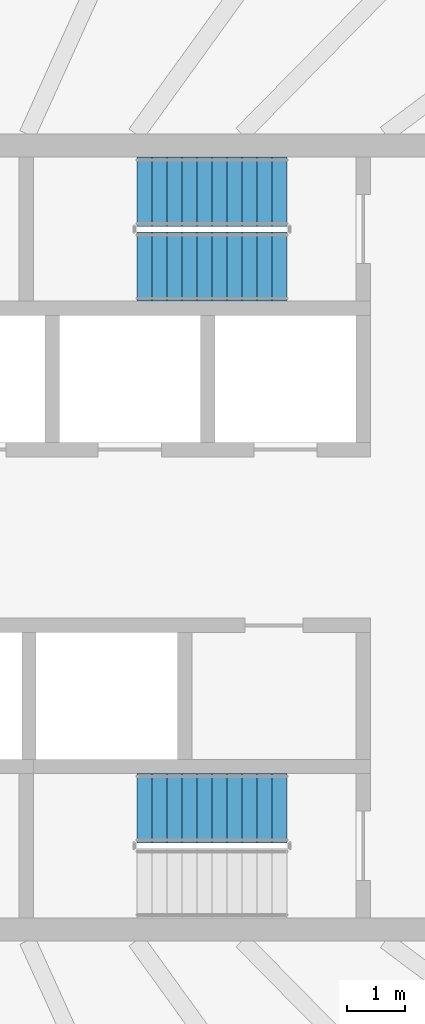
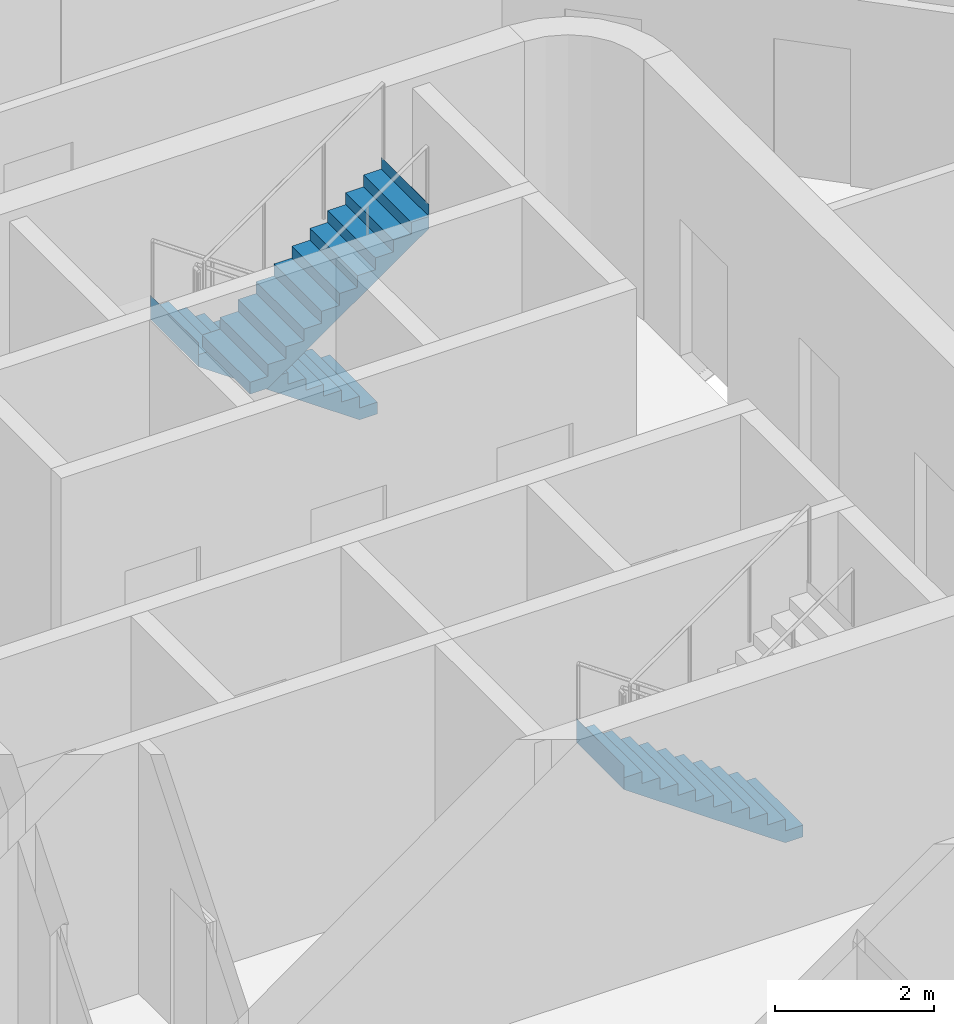
# One storey, part 14 of 20: 3 stair flights, 2 elements without a shape of their own.
"""IFC4 building model written with IfcOpenShell, lengths in metres."""

from ifc_helpers import new_model, si_unit, direction, frame, origin, place, context, subcontext, project, spatial, triangles, material, type_object, element, aggregate, save


model = new_model("IFC4")

# Units and contexts
model_context = context("Model", 3, precision=1e-05, world=origin(), true_north=direction((0.0, 1.0)))
body_context = subcontext(model_context, "Body", "Model", "MODEL_VIEW")
ifc_project = project(units=[si_unit("LENGTHUNIT", "METRE"), si_unit("AREAUNIT", "SQUARE_METRE"), si_unit("VOLUMEUNIT", "CUBIC_METRE"), si_unit("PLANEANGLEUNIT", "RADIAN"), si_unit("MASSUNIT", "GRAM", prefix="KILO")], contexts=[model_context])

# Site, building, storey
site_placement = place(None, origin())
site = spatial("IfcSite", under=ifc_project, at=site_placement, CompositionType="ELEMENT")
building_placement = place(site_placement, origin())
building = spatial("IfcBuilding", under=site, at=building_placement, Name="Sahrelin Media Tower", CompositionType="ELEMENT")
storey_placement = place(building_placement, frame((0.0, 0.0, 255.0)))
storey = spatial("IfcBuildingStorey", under=building, at=storey_placement, Name="L55", CompositionType="ELEMENT", Elevation=255.0)

# Stair, stair flights
ifc_material = material(Name="Concrete C40/50", Category="concrete")
stair_type = type_object("IfcStairType", Name="Exit stair 1200", PredefinedType="HALF_TURN_STAIR", material=ifc_material)
placement = place(storey_placement, origin())
stair_1 = element("IfcStair", 1, at=placement, inside=storey, type_object=stair_type, Name="L55 Exit stair ST3", PredefinedType="HALF_TURN_STAIR")
stair_flight_type = type_object("IfcStairFlightType", Name="Stair flight 1200", PredefinedType="STRAIGHT", material=ifc_material)
stair_flight_1_placement = place(storey_placement, frame((7.675048828125, 6.0, 0.0), z_axis=(0.0, 0.0, 1.0), x_axis=(-1.0, 0.0, 0.0)))
stair_flight_1 = element("IfcStairFlight", 2, at=stair_flight_1_placement, type_object=stair_flight_type, Name="ST3 flight 1", NumberOfRisers=11, NumberOfTreads=10, PredefinedType="STRAIGHT", RiserHeight=0.181818182, TreadLength=0.26, context=body_context, shape_type="Tessellation", body=[
    triangles([(0.261474609375, 0.60009765625, 0.0), (0.261474609375, 0.300048828125, 0.0), (0.261474609375, 0.0, 0.0), (0.261474609375, -0.300048828125, 0.0), (0.261474609375, -0.60009765625, 0.0), (2.60009765625, 0.60009765625, 1.63525390625), (2.60009765625, 0.300048828125, 1.63525390625), (2.60009765625, 0.0, 1.63525390625), (2.60009765625, -0.300048828125, 1.63525390625), (2.60009765625, -0.60009765625, 1.63525390625), (2.60009765625, 0.60009765625, 2.0), (2.60009765625, 0.300048828125, 2.0), (2.60009765625, 0.0, 2.0), (2.60009765625, -0.300048828125, 2.0), (2.60009765625, -0.60009765625, 2.0), (2.597900390625, 0.60009765625, 2.0), (2.597900390625, 0.300048828125, 2.0), (2.597900390625, 0.0, 2.0), (2.597900390625, -0.300048828125, 2.0), (2.597900390625, -0.60009765625, 2.0), (2.597900390625, 0.60009765625, 1.818115234375), (2.597900390625, 0.300048828125, 1.818115234375), (2.597900390625, 0.0, 1.818115234375), (2.597900390625, -0.300048828125, 1.818115234375), (2.597900390625, -0.60009765625, 1.818115234375), (2.340087890625, 0.60009765625, 1.818115234375), (2.340087890625, 0.300048828125, 1.818115234375), (2.340087890625, 0.0, 1.818115234375), (2.340087890625, -0.300048828125, 1.818115234375), (2.340087890625, -0.60009765625, 1.818115234375), (2.340087890625, 0.60009765625, 1.636474609375), (2.340087890625, 0.300048828125, 1.636474609375), (2.340087890625, 0.0, 1.636474609375), (2.340087890625, -0.300048828125, 1.636474609375), (2.340087890625, -0.60009765625, 1.636474609375), (2.080078125, 0.60009765625, 1.636474609375), (2.080078125, 0.300048828125, 1.636474609375), (2.080078125, 0.0, 1.636474609375), (2.080078125, -0.300048828125, 1.636474609375), (2.080078125, -0.60009765625, 1.636474609375), (2.080078125, 0.60009765625, 1.45458984375), (2.080078125, 0.300048828125, 1.45458984375), (2.080078125, 0.0, 1.45458984375), (2.080078125, -0.300048828125, 1.45458984375), (2.080078125, -0.60009765625, 1.45458984375), (1.820068359375, 0.60009765625, 1.45458984375), (1.820068359375, 0.300048828125, 1.45458984375), (1.820068359375, 0.0, 1.45458984375), (1.820068359375, -0.300048828125, 1.45458984375), (1.820068359375, -0.60009765625, 1.45458984375), (1.820068359375, 0.60009765625, 1.272705078125), (1.820068359375, 0.300048828125, 1.272705078125), (1.820068359375, 0.0, 1.272705078125), (1.820068359375, -0.300048828125, 1.272705078125), (1.820068359375, -0.60009765625, 1.272705078125), (1.56005859375, 0.60009765625, 1.272705078125), (1.56005859375, 0.300048828125, 1.272705078125), (1.56005859375, 0.0, 1.272705078125), (1.56005859375, -0.300048828125, 1.272705078125), (1.56005859375, -0.60009765625, 1.272705078125), (1.56005859375, 0.60009765625, 1.0908203125), (1.56005859375, 0.300048828125, 1.0908203125), (1.56005859375, 0.0, 1.0908203125), (1.56005859375, -0.300048828125, 1.0908203125), (1.56005859375, -0.60009765625, 1.0908203125), (1.300048828125, 0.60009765625, 1.0908203125), (1.300048828125, 0.300048828125, 1.0908203125), (1.300048828125, 0.0, 1.0908203125), (1.300048828125, -0.300048828125, 1.0908203125), (1.300048828125, -0.60009765625, 1.0908203125), (1.300048828125, 0.60009765625, 0.9091796875), (1.300048828125, 0.300048828125, 0.9091796875), (1.300048828125, 0.0, 0.9091796875), (1.300048828125, -0.300048828125, 0.9091796875), (1.300048828125, -0.60009765625, 0.9091796875), (1.0400390625, 0.60009765625, 0.9091796875), (1.0400390625, 0.300048828125, 0.9091796875), (1.0400390625, 0.0, 0.9091796875), (1.0400390625, -0.300048828125, 0.9091796875), (1.0400390625, -0.60009765625, 0.9091796875), (1.0400390625, 0.60009765625, 0.727294921875), (1.0400390625, 0.300048828125, 0.727294921875), (1.0400390625, 0.0, 0.727294921875), (1.0400390625, -0.300048828125, 0.727294921875), (1.0400390625, -0.60009765625, 0.727294921875), (0.780029296875, 0.60009765625, 0.727294921875), (0.780029296875, 0.300048828125, 0.727294921875), (0.780029296875, 0.0, 0.727294921875), (0.780029296875, -0.300048828125, 0.727294921875), (0.780029296875, -0.60009765625, 0.727294921875), (0.780029296875, 0.60009765625, 0.54541015625), (0.780029296875, 0.300048828125, 0.54541015625), (0.780029296875, 0.0, 0.54541015625), (0.780029296875, -0.300048828125, 0.54541015625), (0.780029296875, -0.60009765625, 0.54541015625), (0.52001953125, 0.60009765625, 0.54541015625), (0.52001953125, 0.300048828125, 0.54541015625), (0.52001953125, 0.0, 0.54541015625), (0.52001953125, -0.300048828125, 0.54541015625), (0.52001953125, -0.60009765625, 0.54541015625), (0.52001953125, 0.60009765625, 0.363525390625), (0.52001953125, 0.300048828125, 0.363525390625), (0.52001953125, 0.0, 0.363525390625), (0.52001953125, -0.300048828125, 0.363525390625), (0.52001953125, -0.60009765625, 0.363525390625), (0.260009765625, 0.60009765625, 0.363525390625), (0.260009765625, 0.300048828125, 0.363525390625), (0.260009765625, 0.0, 0.363525390625), (0.260009765625, -0.300048828125, 0.363525390625), (0.260009765625, -0.60009765625, 0.363525390625), (0.260009765625, 0.60009765625, 0.181884765625), (0.260009765625, 0.300048828125, 0.181884765625), (0.260009765625, 0.0, 0.181884765625), (0.260009765625, -0.300048828125, 0.181884765625), (0.260009765625, -0.60009765625, 0.181884765625), (0.0, 0.60009765625, 0.181884765625), (0.0, 0.300048828125, 0.181884765625), (0.0, 0.0, 0.181884765625), (0.0, -0.300048828125, 0.181884765625), (0.0, -0.60009765625, 0.181884765625), (0.0, 0.60009765625, 0.0), (0.0, 0.300048828125, 0.0), (0.0, 0.0, 0.0), (0.0, -0.300048828125, 0.0), (0.0, -0.60009765625, 0.0)], [[1, 6, 7], [1, 7, 2], [2, 7, 8], [2, 8, 3], [3, 8, 9], [3, 9, 4], [4, 9, 10], [4, 10, 5], [6, 11, 12], [6, 12, 7], [7, 12, 13], [7, 13, 8], [8, 13, 14], [8, 14, 9], [9, 14, 15], [9, 15, 10], [11, 16, 17], [11, 17, 12], [12, 17, 18], [12, 18, 13], [13, 18, 19], [13, 19, 14], [14, 19, 20], [14, 20, 15], [16, 21, 22], [16, 22, 17], [17, 22, 23], [17, 23, 18], [18, 23, 24], [18, 24, 19], [19, 24, 25], [19, 25, 20], [21, 26, 27], [21, 27, 22], [22, 27, 28], [22, 28, 23], [23, 28, 29], [23, 29, 24], [24, 29, 30], [24, 30, 25], [26, 31, 32], [26, 32, 27], [27, 32, 33], [27, 33, 28], [28, 33, 34], [28, 34, 29], [29, 34, 35], [29, 35, 30], [31, 36, 37], [31, 37, 32], [32, 37, 38], [32, 38, 33], [33, 38, 39], [33, 39, 34], [34, 39, 40], [34, 40, 35], [36, 41, 42], [36, 42, 37], [37, 42, 43], [37, 43, 38], [38, 43, 44], [38, 44, 39], [39, 44, 45], [39, 45, 40], [41, 46, 47], [41, 47, 42], [42, 47, 48], [42, 48, 43], [43, 48, 49], [43, 49, 44], [44, 49, 50], [44, 50, 45], [46, 51, 52], [46, 52, 47], [47, 52, 53], [47, 53, 48], [48, 53, 54], [48, 54, 49], [49, 54, 55], [49, 55, 50], [51, 56, 57], [51, 57, 52], [52, 57, 58], [52, 58, 53], [53, 58, 59], [53, 59, 54], [54, 59, 60], [54, 60, 55], [56, 61, 62], [56, 62, 57], [57, 62, 63], [57, 63, 58], [58, 63, 64], [58, 64, 59], [59, 64, 65], [59, 65, 60], [61, 66, 67], [61, 67, 62], [62, 67, 68], [62, 68, 63], [63, 68, 69], [63, 69, 64], [64, 69, 70], [64, 70, 65], [66, 71, 72], [66, 72, 67], [67, 72, 73], [67, 73, 68], [68, 73, 74], [68, 74, 69], [69, 74, 75], [69, 75, 70], [71, 76, 77], [71, 77, 72], [72, 77, 78], [72, 78, 73], [73, 78, 79], [73, 79, 74], [74, 79, 80], [74, 80, 75], [76, 81, 82], [76, 82, 77], [77, 82, 83], [77, 83, 78], [78, 83, 84], [78, 84, 79], [79, 84, 85], [79, 85, 80], [81, 86, 87], [81, 87, 82], [82, 87, 88], [82, 88, 83], [83, 88, 89], [83, 89, 84], [84, 89, 90], [84, 90, 85], [86, 91, 92], [86, 92, 87], [87, 92, 93], [87, 93, 88], [88, 93, 94], [88, 94, 89], [89, 94, 95], [89, 95, 90], [91, 96, 97], [91, 97, 92], [92, 97, 98], [92, 98, 93], [93, 98, 99], [93, 99, 94], [94, 99, 100], [94, 100, 95], [96, 101, 102], [96, 102, 97], [97, 102, 103], [97, 103, 98], [98, 103, 104], [98, 104, 99], [99, 104, 105], [99, 105, 100], [101, 106, 107], [101, 107, 102], [102, 107, 108], [102, 108, 103], [103, 108, 109], [103, 109, 104], [104, 109, 110], [104, 110, 105], [106, 111, 112], [106, 112, 107], [107, 112, 113], [107, 113, 108], [108, 113, 114], [108, 114, 109], [109, 114, 115], [109, 115, 110], [111, 116, 117], [111, 117, 112], [112, 117, 118], [112, 118, 113], [113, 118, 119], [113, 119, 114], [114, 119, 120], [114, 120, 115], [116, 121, 122], [116, 122, 117], [117, 122, 123], [117, 123, 118], [118, 123, 124], [118, 124, 119], [119, 124, 125], [119, 125, 120], [121, 1, 2], [121, 2, 122], [122, 2, 3], [122, 3, 123], [123, 3, 4], [123, 4, 124], [124, 4, 5], [124, 5, 125], [115, 120, 125], [111, 121, 116], [115, 105, 110], [111, 106, 101], [105, 95, 100], [101, 96, 91], [95, 85, 90], [91, 86, 81], [85, 75, 80], [81, 76, 71], [75, 65, 70], [71, 66, 61], [65, 55, 60], [61, 56, 51], [55, 45, 50], [51, 46, 41], [45, 35, 40], [41, 36, 31], [35, 25, 30], [31, 26, 21], [25, 15, 20], [21, 16, 11], [125, 5, 115], [121, 111, 1], [25, 10, 15], [21, 11, 6], [105, 115, 5], [101, 1, 111], [35, 10, 25], [31, 21, 6], [95, 105, 5], [91, 1, 101], [45, 10, 35], [41, 31, 6], [85, 95, 5], [81, 1, 91], [55, 10, 45], [51, 41, 6], [75, 85, 5], [71, 1, 81], [65, 10, 55], [61, 51, 6], [5, 10, 75], [1, 71, 6], [75, 10, 65], [71, 61, 6]], closed=True),
])
stair_flight_2_placement = place(storey_placement, frame((5.074951171875, 4.699951171875, 2.0), z_axis=(0.0, 0.0, 1.0), x_axis=(1.0, 0.0, 0.0)))
stair_flight_2 = element("IfcStairFlight", 3, at=stair_flight_2_placement, type_object=stair_flight_type, Name="ST3 flight 2", NumberOfRisers=11, NumberOfTreads=10, PredefinedType="STRAIGHT", RiserHeight=0.181818182, TreadLength=0.26, context=body_context, shape_type="Tessellation", body=[
    triangles([(0.261474609375, 0.60009765625, 0.0), (0.261474609375, 0.300048828125, 0.0), (0.261474609375, 0.0, 0.0), (0.261474609375, -0.300048828125, 0.0), (0.261474609375, -0.60009765625, 0.0), (2.60009765625, 0.60009765625, 1.63525390625), (2.60009765625, 0.300048828125, 1.63525390625), (2.60009765625, 0.0, 1.63525390625), (2.60009765625, -0.300048828125, 1.63525390625), (2.60009765625, -0.60009765625, 1.63525390625), (2.60009765625, 0.60009765625, 2.0), (2.60009765625, 0.300048828125, 2.0), (2.60009765625, 0.0, 2.0), (2.60009765625, -0.300048828125, 2.0), (2.60009765625, -0.60009765625, 2.0), (2.597900390625, 0.60009765625, 2.0), (2.597900390625, 0.300048828125, 2.0), (2.597900390625, 0.0, 2.0), (2.597900390625, -0.300048828125, 2.0), (2.597900390625, -0.60009765625, 2.0), (2.597900390625, 0.60009765625, 1.818115234375), (2.597900390625, 0.300048828125, 1.818115234375), (2.597900390625, 0.0, 1.818115234375), (2.597900390625, -0.300048828125, 1.818115234375), (2.597900390625, -0.60009765625, 1.818115234375), (2.340087890625, 0.60009765625, 1.818115234375), (2.340087890625, 0.300048828125, 1.818115234375), (2.340087890625, 0.0, 1.818115234375), (2.340087890625, -0.300048828125, 1.818115234375), (2.340087890625, -0.60009765625, 1.818115234375), (2.340087890625, 0.60009765625, 1.636474609375), (2.340087890625, 0.300048828125, 1.636474609375), (2.340087890625, 0.0, 1.636474609375), (2.340087890625, -0.300048828125, 1.636474609375), (2.340087890625, -0.60009765625, 1.636474609375), (2.080078125, 0.60009765625, 1.636474609375), (2.080078125, 0.300048828125, 1.636474609375), (2.080078125, 0.0, 1.636474609375), (2.080078125, -0.300048828125, 1.636474609375), (2.080078125, -0.60009765625, 1.636474609375), (2.080078125, 0.60009765625, 1.45458984375), (2.080078125, 0.300048828125, 1.45458984375), (2.080078125, 0.0, 1.45458984375), (2.080078125, -0.300048828125, 1.45458984375), (2.080078125, -0.60009765625, 1.45458984375), (1.820068359375, 0.60009765625, 1.45458984375), (1.820068359375, 0.300048828125, 1.45458984375), (1.820068359375, 0.0, 1.45458984375), (1.820068359375, -0.300048828125, 1.45458984375), (1.820068359375, -0.60009765625, 1.45458984375), (1.820068359375, 0.60009765625, 1.272705078125), (1.820068359375, 0.300048828125, 1.272705078125), (1.820068359375, 0.0, 1.272705078125), (1.820068359375, -0.300048828125, 1.272705078125), (1.820068359375, -0.60009765625, 1.272705078125), (1.56005859375, 0.60009765625, 1.272705078125), (1.56005859375, 0.300048828125, 1.272705078125), (1.56005859375, 0.0, 1.272705078125), (1.56005859375, -0.300048828125, 1.272705078125), (1.56005859375, -0.60009765625, 1.272705078125), (1.56005859375, 0.60009765625, 1.0908203125), (1.56005859375, 0.300048828125, 1.0908203125), (1.56005859375, 0.0, 1.0908203125), (1.56005859375, -0.300048828125, 1.0908203125), (1.56005859375, -0.60009765625, 1.0908203125), (1.300048828125, 0.60009765625, 1.0908203125), (1.300048828125, 0.300048828125, 1.0908203125), (1.300048828125, 0.0, 1.0908203125), (1.300048828125, -0.300048828125, 1.0908203125), (1.300048828125, -0.60009765625, 1.0908203125), (1.300048828125, 0.60009765625, 0.9091796875), (1.300048828125, 0.300048828125, 0.9091796875), (1.300048828125, 0.0, 0.9091796875), (1.300048828125, -0.300048828125, 0.9091796875), (1.300048828125, -0.60009765625, 0.9091796875), (1.0400390625, 0.60009765625, 0.9091796875), (1.0400390625, 0.300048828125, 0.9091796875), (1.0400390625, 0.0, 0.9091796875), (1.0400390625, -0.300048828125, 0.9091796875), (1.0400390625, -0.60009765625, 0.9091796875), (1.0400390625, 0.60009765625, 0.727294921875), (1.0400390625, 0.300048828125, 0.727294921875), (1.0400390625, 0.0, 0.727294921875), (1.0400390625, -0.300048828125, 0.727294921875), (1.0400390625, -0.60009765625, 0.727294921875), (0.780029296875, 0.60009765625, 0.727294921875), (0.780029296875, 0.300048828125, 0.727294921875), (0.780029296875, 0.0, 0.727294921875), (0.780029296875, -0.300048828125, 0.727294921875), (0.780029296875, -0.60009765625, 0.727294921875), (0.780029296875, 0.60009765625, 0.54541015625), (0.780029296875, 0.300048828125, 0.54541015625), (0.780029296875, 0.0, 0.54541015625), (0.780029296875, -0.300048828125, 0.54541015625), (0.780029296875, -0.60009765625, 0.54541015625), (0.52001953125, 0.60009765625, 0.54541015625), (0.52001953125, 0.300048828125, 0.54541015625), (0.52001953125, 0.0, 0.54541015625), (0.52001953125, -0.300048828125, 0.54541015625), (0.52001953125, -0.60009765625, 0.54541015625), (0.52001953125, 0.60009765625, 0.363525390625), (0.52001953125, 0.300048828125, 0.363525390625), (0.52001953125, 0.0, 0.363525390625), (0.52001953125, -0.300048828125, 0.363525390625), (0.52001953125, -0.60009765625, 0.363525390625), (0.260009765625, 0.60009765625, 0.363525390625), (0.260009765625, 0.300048828125, 0.363525390625), (0.260009765625, 0.0, 0.363525390625), (0.260009765625, -0.300048828125, 0.363525390625), (0.260009765625, -0.60009765625, 0.363525390625), (0.260009765625, 0.60009765625, 0.181884765625), (0.260009765625, 0.300048828125, 0.181884765625), (0.260009765625, 0.0, 0.181884765625), (0.260009765625, -0.300048828125, 0.181884765625), (0.260009765625, -0.60009765625, 0.181884765625), (0.0, 0.60009765625, 0.181884765625), (0.0, 0.300048828125, 0.181884765625), (0.0, 0.0, 0.181884765625), (0.0, -0.300048828125, 0.181884765625), (0.0, -0.60009765625, 0.181884765625), (0.0, 0.60009765625, 0.0), (0.0, 0.300048828125, 0.0), (0.0, 0.0, 0.0), (0.0, -0.300048828125, 0.0), (0.0, -0.60009765625, 0.0)], [[1, 6, 7], [1, 7, 2], [2, 7, 8], [2, 8, 3], [3, 8, 9], [3, 9, 4], [4, 9, 10], [4, 10, 5], [6, 11, 12], [6, 12, 7], [7, 12, 13], [7, 13, 8], [8, 13, 14], [8, 14, 9], [9, 14, 15], [9, 15, 10], [11, 16, 17], [11, 17, 12], [12, 17, 18], [12, 18, 13], [13, 18, 19], [13, 19, 14], [14, 19, 20], [14, 20, 15], [16, 21, 22], [16, 22, 17], [17, 22, 23], [17, 23, 18], [18, 23, 24], [18, 24, 19], [19, 24, 25], [19, 25, 20], [21, 26, 27], [21, 27, 22], [22, 27, 28], [22, 28, 23], [23, 28, 29], [23, 29, 24], [24, 29, 30], [24, 30, 25], [26, 31, 32], [26, 32, 27], [27, 32, 33], [27, 33, 28], [28, 33, 34], [28, 34, 29], [29, 34, 35], [29, 35, 30], [31, 36, 37], [31, 37, 32], [32, 37, 38], [32, 38, 33], [33, 38, 39], [33, 39, 34], [34, 39, 40], [34, 40, 35], [36, 41, 42], [36, 42, 37], [37, 42, 43], [37, 43, 38], [38, 43, 44], [38, 44, 39], [39, 44, 45], [39, 45, 40], [41, 46, 47], [41, 47, 42], [42, 47, 48], [42, 48, 43], [43, 48, 49], [43, 49, 44], [44, 49, 50], [44, 50, 45], [46, 51, 52], [46, 52, 47], [47, 52, 53], [47, 53, 48], [48, 53, 54], [48, 54, 49], [49, 54, 55], [49, 55, 50], [51, 56, 57], [51, 57, 52], [52, 57, 58], [52, 58, 53], [53, 58, 59], [53, 59, 54], [54, 59, 60], [54, 60, 55], [56, 61, 62], [56, 62, 57], [57, 62, 63], [57, 63, 58], [58, 63, 64], [58, 64, 59], [59, 64, 65], [59, 65, 60], [61, 66, 67], [61, 67, 62], [62, 67, 68], [62, 68, 63], [63, 68, 69], [63, 69, 64], [64, 69, 70], [64, 70, 65], [66, 71, 72], [66, 72, 67], [67, 72, 73], [67, 73, 68], [68, 73, 74], [68, 74, 69], [69, 74, 75], [69, 75, 70], [71, 76, 77], [71, 77, 72], [72, 77, 78], [72, 78, 73], [73, 78, 79], [73, 79, 74], [74, 79, 80], [74, 80, 75], [76, 81, 82], [76, 82, 77], [77, 82, 83], [77, 83, 78], [78, 83, 84], [78, 84, 79], [79, 84, 85], [79, 85, 80], [81, 86, 87], [81, 87, 82], [82, 87, 88], [82, 88, 83], [83, 88, 89], [83, 89, 84], [84, 89, 90], [84, 90, 85], [86, 91, 92], [86, 92, 87], [87, 92, 93], [87, 93, 88], [88, 93, 94], [88, 94, 89], [89, 94, 95], [89, 95, 90], [91, 96, 97], [91, 97, 92], [92, 97, 98], [92, 98, 93], [93, 98, 99], [93, 99, 94], [94, 99, 100], [94, 100, 95], [96, 101, 102], [96, 102, 97], [97, 102, 103], [97, 103, 98], [98, 103, 104], [98, 104, 99], [99, 104, 105], [99, 105, 100], [101, 106, 107], [101, 107, 102], [102, 107, 108], [102, 108, 103], [103, 108, 109], [103, 109, 104], [104, 109, 110], [104, 110, 105], [106, 111, 112], [106, 112, 107], [107, 112, 113], [107, 113, 108], [108, 113, 114], [108, 114, 109], [109, 114, 115], [109, 115, 110], [111, 116, 117], [111, 117, 112], [112, 117, 118], [112, 118, 113], [113, 118, 119], [113, 119, 114], [114, 119, 120], [114, 120, 115], [116, 121, 122], [116, 122, 117], [117, 122, 123], [117, 123, 118], [118, 123, 124], [118, 124, 119], [119, 124, 125], [119, 125, 120], [121, 1, 2], [121, 2, 122], [122, 2, 3], [122, 3, 123], [123, 3, 4], [123, 4, 124], [124, 4, 5], [124, 5, 125], [115, 120, 125], [111, 121, 116], [115, 105, 110], [111, 106, 101], [105, 95, 100], [101, 96, 91], [95, 85, 90], [91, 86, 81], [85, 75, 80], [81, 76, 71], [75, 65, 70], [71, 66, 61], [65, 55, 60], [61, 56, 51], [55, 45, 50], [51, 46, 41], [45, 35, 40], [41, 36, 31], [35, 25, 30], [31, 26, 21], [25, 15, 20], [21, 16, 11], [125, 5, 115], [121, 111, 1], [25, 10, 15], [21, 11, 6], [105, 115, 5], [101, 1, 111], [35, 10, 25], [31, 21, 6], [95, 105, 5], [91, 1, 101], [45, 10, 35], [41, 31, 6], [85, 95, 5], [81, 1, 91], [55, 10, 45], [51, 41, 6], [75, 85, 5], [71, 1, 81], [65, 10, 55], [61, 51, 6], [5, 10, 75], [1, 71, 6], [75, 10, 65], [71, 61, 6]], closed=True),
])
aggregate(stair_1, [stair_flight_1, stair_flight_2])

# Stair, stair flight
stair_2 = element("IfcStair", 4, at=placement, inside=storey, type_object=stair_type, Name="L55 Exit stair ST2", PredefinedType="HALF_TURN_STAIR")
stair_flight_3_placement = place(storey_placement, frame((7.675048828125, -4.699951171875, 0.0), z_axis=(0.0, 0.0, 1.0), x_axis=(-1.0, 0.0, 0.0)))
stair_flight_3 = element("IfcStairFlight", 5, at=stair_flight_3_placement, type_object=stair_flight_type, Name="ST2 flight 1", NumberOfRisers=11, NumberOfTreads=10, PredefinedType="STRAIGHT", RiserHeight=0.181818182, TreadLength=0.26, context=body_context, shape_type="Tessellation", body=[
    triangles([(0.261474609375, 0.60009765625, 0.0), (0.261474609375, 0.300048828125, 0.0), (0.261474609375, 0.0, 0.0), (0.261474609375, -0.300048828125, 0.0), (0.261474609375, -0.60009765625, 0.0), (2.60009765625, 0.60009765625, 1.63525390625), (2.60009765625, 0.300048828125, 1.63525390625), (2.60009765625, 0.0, 1.63525390625), (2.60009765625, -0.300048828125, 1.63525390625), (2.60009765625, -0.60009765625, 1.63525390625), (2.60009765625, 0.60009765625, 2.0), (2.60009765625, 0.300048828125, 2.0), (2.60009765625, 0.0, 2.0), (2.60009765625, -0.300048828125, 2.0), (2.60009765625, -0.60009765625, 2.0), (2.597900390625, 0.60009765625, 2.0), (2.597900390625, 0.300048828125, 2.0), (2.597900390625, 0.0, 2.0), (2.597900390625, -0.300048828125, 2.0), (2.597900390625, -0.60009765625, 2.0), (2.597900390625, 0.60009765625, 1.818115234375), (2.597900390625, 0.300048828125, 1.818115234375), (2.597900390625, 0.0, 1.818115234375), (2.597900390625, -0.300048828125, 1.818115234375), (2.597900390625, -0.60009765625, 1.818115234375), (2.340087890625, 0.60009765625, 1.818115234375), (2.340087890625, 0.300048828125, 1.818115234375), (2.340087890625, 0.0, 1.818115234375), (2.340087890625, -0.300048828125, 1.818115234375), (2.340087890625, -0.60009765625, 1.818115234375), (2.340087890625, 0.60009765625, 1.636474609375), (2.340087890625, 0.300048828125, 1.636474609375), (2.340087890625, 0.0, 1.636474609375), (2.340087890625, -0.300048828125, 1.636474609375), (2.340087890625, -0.60009765625, 1.636474609375), (2.080078125, 0.60009765625, 1.636474609375), (2.080078125, 0.300048828125, 1.636474609375), (2.080078125, 0.0, 1.636474609375), (2.080078125, -0.300048828125, 1.636474609375), (2.080078125, -0.60009765625, 1.636474609375), (2.080078125, 0.60009765625, 1.45458984375), (2.080078125, 0.300048828125, 1.45458984375), (2.080078125, 0.0, 1.45458984375), (2.080078125, -0.300048828125, 1.45458984375), (2.080078125, -0.60009765625, 1.45458984375), (1.820068359375, 0.60009765625, 1.45458984375), (1.820068359375, 0.300048828125, 1.45458984375), (1.820068359375, 0.0, 1.45458984375), (1.820068359375, -0.300048828125, 1.45458984375), (1.820068359375, -0.60009765625, 1.45458984375), (1.820068359375, 0.60009765625, 1.272705078125), (1.820068359375, 0.300048828125, 1.272705078125), (1.820068359375, 0.0, 1.272705078125), (1.820068359375, -0.300048828125, 1.272705078125), (1.820068359375, -0.60009765625, 1.272705078125), (1.56005859375, 0.60009765625, 1.272705078125), (1.56005859375, 0.300048828125, 1.272705078125), (1.56005859375, 0.0, 1.272705078125), (1.56005859375, -0.300048828125, 1.272705078125), (1.56005859375, -0.60009765625, 1.272705078125), (1.56005859375, 0.60009765625, 1.0908203125), (1.56005859375, 0.300048828125, 1.0908203125), (1.56005859375, 0.0, 1.0908203125), (1.56005859375, -0.300048828125, 1.0908203125), (1.56005859375, -0.60009765625, 1.0908203125), (1.300048828125, 0.60009765625, 1.0908203125), (1.300048828125, 0.300048828125, 1.0908203125), (1.300048828125, 0.0, 1.0908203125), (1.300048828125, -0.300048828125, 1.0908203125), (1.300048828125, -0.60009765625, 1.0908203125), (1.300048828125, 0.60009765625, 0.9091796875), (1.300048828125, 0.300048828125, 0.9091796875), (1.300048828125, 0.0, 0.9091796875), (1.300048828125, -0.300048828125, 0.9091796875), (1.300048828125, -0.60009765625, 0.9091796875), (1.0400390625, 0.60009765625, 0.9091796875), (1.0400390625, 0.300048828125, 0.9091796875), (1.0400390625, 0.0, 0.9091796875), (1.0400390625, -0.300048828125, 0.9091796875), (1.0400390625, -0.60009765625, 0.9091796875), (1.0400390625, 0.60009765625, 0.727294921875), (1.0400390625, 0.300048828125, 0.727294921875), (1.0400390625, 0.0, 0.727294921875), (1.0400390625, -0.300048828125, 0.727294921875), (1.0400390625, -0.60009765625, 0.727294921875), (0.780029296875, 0.60009765625, 0.727294921875), (0.780029296875, 0.300048828125, 0.727294921875), (0.780029296875, 0.0, 0.727294921875), (0.780029296875, -0.300048828125, 0.727294921875), (0.780029296875, -0.60009765625, 0.727294921875), (0.780029296875, 0.60009765625, 0.54541015625), (0.780029296875, 0.300048828125, 0.54541015625), (0.780029296875, 0.0, 0.54541015625), (0.780029296875, -0.300048828125, 0.54541015625), (0.780029296875, -0.60009765625, 0.54541015625), (0.52001953125, 0.60009765625, 0.54541015625), (0.52001953125, 0.300048828125, 0.54541015625), (0.52001953125, 0.0, 0.54541015625), (0.52001953125, -0.300048828125, 0.54541015625), (0.52001953125, -0.60009765625, 0.54541015625), (0.52001953125, 0.60009765625, 0.363525390625), (0.52001953125, 0.300048828125, 0.363525390625), (0.52001953125, 0.0, 0.363525390625), (0.52001953125, -0.300048828125, 0.363525390625), (0.52001953125, -0.60009765625, 0.363525390625), (0.260009765625, 0.60009765625, 0.363525390625), (0.260009765625, 0.300048828125, 0.363525390625), (0.260009765625, 0.0, 0.363525390625), (0.260009765625, -0.300048828125, 0.363525390625), (0.260009765625, -0.60009765625, 0.363525390625), (0.260009765625, 0.60009765625, 0.181884765625), (0.260009765625, 0.300048828125, 0.181884765625), (0.260009765625, 0.0, 0.181884765625), (0.260009765625, -0.300048828125, 0.181884765625), (0.260009765625, -0.60009765625, 0.181884765625), (0.0, 0.60009765625, 0.181884765625), (0.0, 0.300048828125, 0.181884765625), (0.0, 0.0, 0.181884765625), (0.0, -0.300048828125, 0.181884765625), (0.0, -0.60009765625, 0.181884765625), (0.0, 0.60009765625, 0.0), (0.0, 0.300048828125, 0.0), (0.0, 0.0, 0.0), (0.0, -0.300048828125, 0.0), (0.0, -0.60009765625, 0.0)], [[1, 6, 7], [1, 7, 2], [2, 7, 8], [2, 8, 3], [3, 8, 9], [3, 9, 4], [4, 9, 10], [4, 10, 5], [6, 11, 12], [6, 12, 7], [7, 12, 13], [7, 13, 8], [8, 13, 14], [8, 14, 9], [9, 14, 15], [9, 15, 10], [11, 16, 17], [11, 17, 12], [12, 17, 18], [12, 18, 13], [13, 18, 19], [13, 19, 14], [14, 19, 20], [14, 20, 15], [16, 21, 22], [16, 22, 17], [17, 22, 23], [17, 23, 18], [18, 23, 24], [18, 24, 19], [19, 24, 25], [19, 25, 20], [21, 26, 27], [21, 27, 22], [22, 27, 28], [22, 28, 23], [23, 28, 29], [23, 29, 24], [24, 29, 30], [24, 30, 25], [26, 31, 32], [26, 32, 27], [27, 32, 33], [27, 33, 28], [28, 33, 34], [28, 34, 29], [29, 34, 35], [29, 35, 30], [31, 36, 37], [31, 37, 32], [32, 37, 38], [32, 38, 33], [33, 38, 39], [33, 39, 34], [34, 39, 40], [34, 40, 35], [36, 41, 42], [36, 42, 37], [37, 42, 43], [37, 43, 38], [38, 43, 44], [38, 44, 39], [39, 44, 45], [39, 45, 40], [41, 46, 47], [41, 47, 42], [42, 47, 48], [42, 48, 43], [43, 48, 49], [43, 49, 44], [44, 49, 50], [44, 50, 45], [46, 51, 52], [46, 52, 47], [47, 52, 53], [47, 53, 48], [48, 53, 54], [48, 54, 49], [49, 54, 55], [49, 55, 50], [51, 56, 57], [51, 57, 52], [52, 57, 58], [52, 58, 53], [53, 58, 59], [53, 59, 54], [54, 59, 60], [54, 60, 55], [56, 61, 62], [56, 62, 57], [57, 62, 63], [57, 63, 58], [58, 63, 64], [58, 64, 59], [59, 64, 65], [59, 65, 60], [61, 66, 67], [61, 67, 62], [62, 67, 68], [62, 68, 63], [63, 68, 69], [63, 69, 64], [64, 69, 70], [64, 70, 65], [66, 71, 72], [66, 72, 67], [67, 72, 73], [67, 73, 68], [68, 73, 74], [68, 74, 69], [69, 74, 75], [69, 75, 70], [71, 76, 77], [71, 77, 72], [72, 77, 78], [72, 78, 73], [73, 78, 79], [73, 79, 74], [74, 79, 80], [74, 80, 75], [76, 81, 82], [76, 82, 77], [77, 82, 83], [77, 83, 78], [78, 83, 84], [78, 84, 79], [79, 84, 85], [79, 85, 80], [81, 86, 87], [81, 87, 82], [82, 87, 88], [82, 88, 83], [83, 88, 89], [83, 89, 84], [84, 89, 90], [84, 90, 85], [86, 91, 92], [86, 92, 87], [87, 92, 93], [87, 93, 88], [88, 93, 94], [88, 94, 89], [89, 94, 95], [89, 95, 90], [91, 96, 97], [91, 97, 92], [92, 97, 98], [92, 98, 93], [93, 98, 99], [93, 99, 94], [94, 99, 100], [94, 100, 95], [96, 101, 102], [96, 102, 97], [97, 102, 103], [97, 103, 98], [98, 103, 104], [98, 104, 99], [99, 104, 105], [99, 105, 100], [101, 106, 107], [101, 107, 102], [102, 107, 108], [102, 108, 103], [103, 108, 109], [103, 109, 104], [104, 109, 110], [104, 110, 105], [106, 111, 112], [106, 112, 107], [107, 112, 113], [107, 113, 108], [108, 113, 114], [108, 114, 109], [109, 114, 115], [109, 115, 110], [111, 116, 117], [111, 117, 112], [112, 117, 118], [112, 118, 113], [113, 118, 119], [113, 119, 114], [114, 119, 120], [114, 120, 115], [116, 121, 122], [116, 122, 117], [117, 122, 123], [117, 123, 118], [118, 123, 124], [118, 124, 119], [119, 124, 125], [119, 125, 120], [121, 1, 2], [121, 2, 122], [122, 2, 3], [122, 3, 123], [123, 3, 4], [123, 4, 124], [124, 4, 5], [124, 5, 125], [115, 120, 125], [111, 121, 116], [115, 105, 110], [111, 106, 101], [105, 95, 100], [101, 96, 91], [95, 85, 90], [91, 86, 81], [85, 75, 80], [81, 76, 71], [75, 65, 70], [71, 66, 61], [65, 55, 60], [61, 56, 51], [55, 45, 50], [51, 46, 41], [45, 35, 40], [41, 36, 31], [35, 25, 30], [31, 26, 21], [25, 15, 20], [21, 16, 11], [125, 5, 115], [121, 111, 1], [25, 10, 15], [21, 11, 6], [105, 115, 5], [101, 1, 111], [35, 10, 25], [31, 21, 6], [95, 105, 5], [91, 1, 101], [45, 10, 35], [41, 31, 6], [85, 95, 5], [81, 1, 91], [55, 10, 45], [51, 41, 6], [75, 85, 5], [71, 1, 81], [65, 10, 55], [61, 51, 6], [5, 10, 75], [1, 71, 6], [75, 10, 65], [71, 61, 6]], closed=True),
])
aggregate(stair_2, [stair_flight_3])

save(model, "model.ifc")
